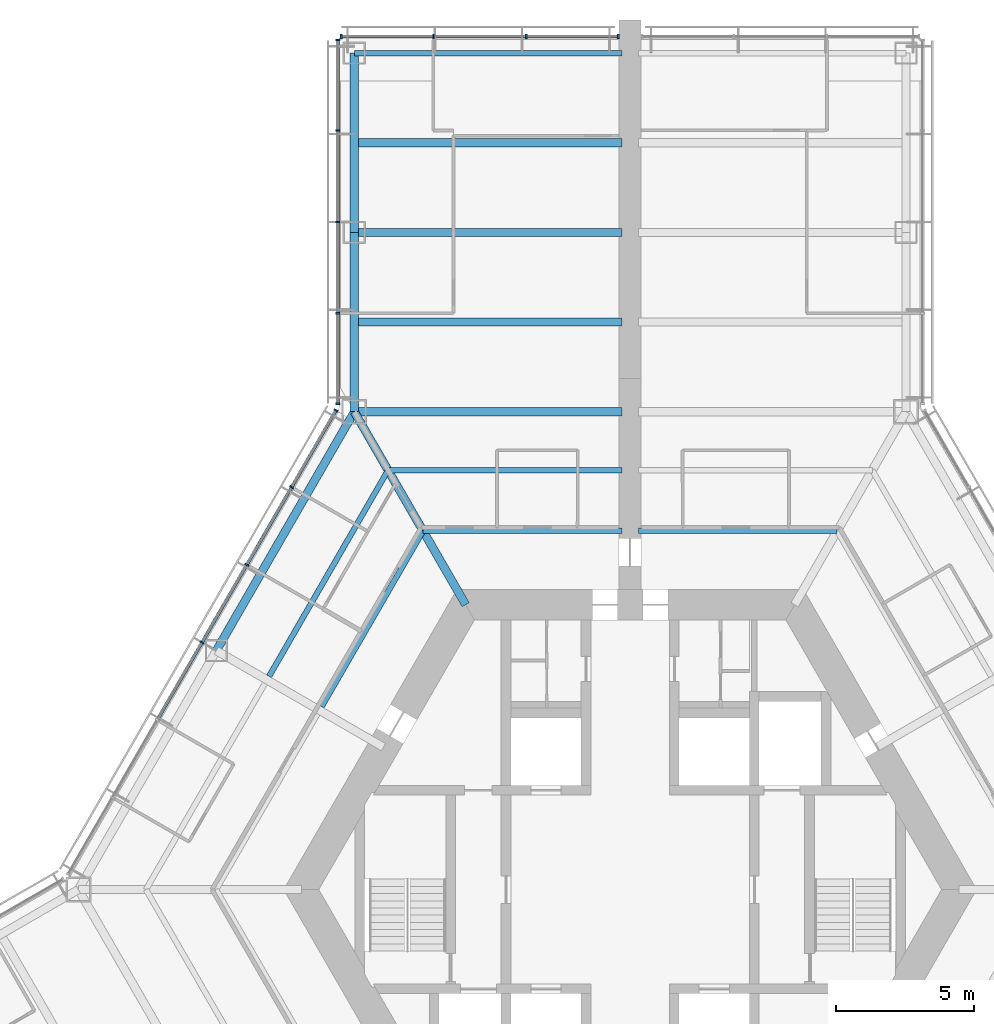
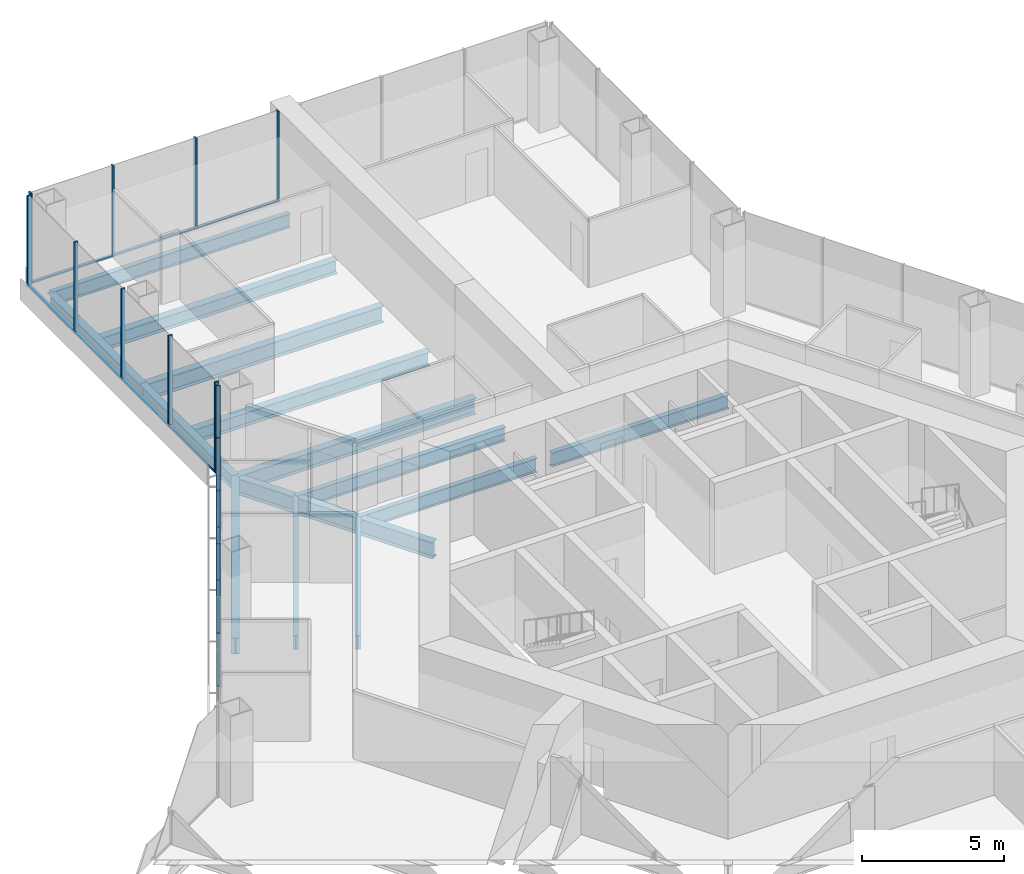
# One storey, part 7 of 18: 24 members, 14 beams, 3 elements without a shape of their own.
"""IFC4 building model written with IfcOpenShell, lengths in metres."""

from ifc_helpers import new_model, si_unit, direction, frame, origin, origin_2d, place, context, subcontext, project, spatial, rectangle, i_section, extrude, material, material_profile, profile_set, type_object, element, aggregate, save


model = new_model("IFC4")

# Units and contexts
model_context = context("Model", 3, precision=1e-05, world=origin(), true_north=direction((0.0, 1.0)))
body_context = subcontext(model_context, "Body", "Model", "MODEL_VIEW")
ifc_project = project(units=[si_unit("LENGTHUNIT", "METRE"), si_unit("AREAUNIT", "SQUARE_METRE"), si_unit("VOLUMEUNIT", "CUBIC_METRE"), si_unit("PLANEANGLEUNIT", "RADIAN"), si_unit("MASSUNIT", "GRAM", prefix="KILO")], contexts=[model_context])

# Site, building, storey
site_placement = place(None, origin())
site = spatial("IfcSite", under=ifc_project, at=site_placement, CompositionType="ELEMENT")
building_placement = place(site_placement, origin())
building = spatial("IfcBuilding", under=site, at=building_placement, Name="Kasaneha Research Tower", CompositionType="ELEMENT")
storey_placement = place(building_placement, frame((0.0, 0.0, 61.199951171875)))
storey = spatial("IfcBuildingStorey", under=building, at=storey_placement, Name="L15", CompositionType="ELEMENT", Elevation=61.199951171875)

# Beams
ifc_material_1 = material(Name="Steel SN490B", Category="steel")
ifc_material_profile_1 = material_profile(ifc_material_1, i_section(OverallWidth=0.199951171875, OverallDepth=0.60009765625, WebThickness=0.010986328125, FlangeThickness=0.01708984375, FilletRadius=0.012939453125, at=origin_2d()), Name="H-600x200x11x17")
ifc_profile_set_1 = profile_set([ifc_material_profile_1], Name="Steel SN490B")
beam_type_1 = type_object("IfcBeamType", Name="B1-3 secondary beam H-600x200x11x17", PredefinedType="JOIST", material=ifc_profile_set_1)
for number, where, z_axis, x_axis, name in (
    (1, (7.505615234375, 13.0, -0.449951171875), (-1.0, 0.0, 0.0), (0.0, -1.0, 0.0), "Secondary beam RS090L1 L15"),
    (2, (-7.505615234375, 13.0, -0.449951171875), (1.0, 0.0, 0.0), (0.0, 1.0, 0.0), "Secondary beam RS090R1 L15"),
):
    element("IfcBeam", number, at=place(storey_placement, frame(where, z_axis=z_axis, x_axis=x_axis)), inside=storey, type_object=beam_type_1, Name=name, PredefinedType="JOIST", context=body_context, shape_type="SweptSolid", body=[
        extrude(i_section(OverallWidth=0.199951171875, OverallDepth=0.60009765625, WebThickness=0.010986328125, FlangeThickness=0.01708984375, FilletRadius=0.012939453125, at=origin_2d()), origin(), (0.0, 0.0, 1.0), 7.20556640625),
    ])
beam_1_placement = place(storey_placement, frame((-8.775634765625, 15.199951171875, -0.449951171875), z_axis=(1.0, 0.0, 0.0), x_axis=(0.0, 1.0, 0.0)))
element("IfcBeam", 3, at=beam_1_placement, inside=storey, type_object=beam_type_1, Name="Secondary beam RS090R2 L15", PredefinedType="JOIST", context=body_context, shape_type="SweptSolid", body=[
    extrude(i_section(OverallWidth=0.199951171875, OverallDepth=0.60009765625, WebThickness=0.010986328125, FlangeThickness=0.01708984375, FilletRadius=0.012939453125, at=origin_2d()), origin(), (0.0, 0.0, 1.0), 8.4755859375),
])
beam_2_placement = place(storey_placement, frame((-7.505615234375, 13.0, -0.449951171875), z_axis=(-0.499994443168, -0.866028611999, 0.0), x_axis=(0.866028611999, -0.499994443168, 0.0)))
element("IfcBeam", 4, at=beam_2_placement, inside=storey, type_object=beam_type_1, Name="Secondary beam RS150L1 L15", PredefinedType="JOIST", context=body_context, shape_type="SweptSolid", body=[
    extrude(i_section(OverallWidth=0.199951171875, OverallDepth=0.60009765625, WebThickness=0.010986328125, FlangeThickness=0.01708984375, FilletRadius=0.012939453125, at=origin_2d()), origin(), (0.0, 0.0, 1.0), 7.35546875),
])
beam_3_placement = place(storey_placement, frame((-8.775634765625, 15.199951171875, -0.449951171875), z_axis=(-0.500017275495, -0.866015429543, 0.0), x_axis=(0.866015429543, -0.500017275495, 0.0)))
element("IfcBeam", 5, at=beam_3_placement, inside=storey, type_object=beam_type_1, Name="Secondary beam RS150L2 L15", PredefinedType="JOIST", context=body_context, shape_type="SweptSolid", body=[
    extrude(i_section(OverallWidth=0.199951171875, OverallDepth=0.60009765625, WebThickness=0.010986328125, FlangeThickness=0.01708984375, FilletRadius=0.012939453125, at=origin_2d()), origin(), (0.0, 0.0, 1.0), 8.625732421875),
])
ifc_material_2 = material(Name="Steel SN490B", Category="steel")
ifc_material_profile_2 = material_profile(ifc_material_2, i_section(OverallWidth=0.300048828125, OverallDepth=0.58203125, WebThickness=0.011962890625, FlangeThickness=0.01708984375, FilletRadius=0.012939453125, at=origin_2d()), Name="H-582x300x12x17")
ifc_profile_set_2 = profile_set([ifc_material_profile_2], Name="Steel SN490B")
beam_type_2 = type_object("IfcBeamType", Name="B2-3 secondary beam H-582x300x12x17", PredefinedType="JOIST", material=ifc_profile_set_2)
for number, where, z_axis, x_axis, name in (
    (6, (-10.0, 20.570556640625, -0.44091796875), (1.0, 0.0, 0.0), (0.0, 1.0, 0.0), "Secondary beam WBAN1 L15"),
    (7, (-10.0, 27.070556640625, -0.44091796875), (1.0, 0.0, 0.0), (0.0, 1.0, 0.0), "Secondary beam WBAN2 L15"),
):
    element("IfcBeam", number, at=place(storey_placement, frame(where, z_axis=z_axis, x_axis=x_axis)), inside=storey, type_object=beam_type_2, Name=name, PredefinedType="JOIST", context=body_context, shape_type="SweptSolid", body=[
        extrude(i_section(OverallWidth=0.300048828125, OverallDepth=0.58203125, WebThickness=0.011962890625, FlangeThickness=0.01708984375, FilletRadius=0.012939453125, at=origin_2d()), origin(), (0.0, 0.0, 1.0), 9.699951171875),
    ])

# Curtain wall, members
ifc_material_3 = material(Name="Glass and aluminium", Category="aluminium")
curtain_wall_type = type_object("IfcCurtainWallType", Name="Low-rise office curtain wall", PredefinedType="USERDEFINED", material=ifc_material_3)
curtain_wall_1_placement = place(storey_placement, origin())
curtain_wall_1 = element("IfcCurtainWall", 8, at=curtain_wall_1_placement, inside=storey, type_object=curtain_wall_type, Name="CW-O1 L15 run 10a", ObjectType="UNITISED CURTAIN WALL", PredefinedType="USERDEFINED")
ifc_material_4 = material(Name="Aluminium 6063-T6", Category="aluminium")
ifc_material_profile_3 = material_profile(ifc_material_4, rectangle(XDim=0.06005859375, YDim=0.159912109375, at=origin_2d()), Name="CW-O1 mullion 60x160")
ifc_profile_set_3 = profile_set([ifc_material_profile_3], Name="Aluminium 6063-T6")
member_type_1 = type_object("IfcMemberType", Name="CW-O1 mullion", PredefinedType="MULLION", material=ifc_profile_set_3)
member_1_placement = place(storey_placement, frame((-0.429931640625, 30.92041015625, 0.0), z_axis=(0.0, 0.0, 1.0), x_axis=(-1.0, 0.0, 0.0)))
member_1 = element("IfcMember", 9, at=member_1_placement, type_object=member_type_1, Name="CW-O1 mullion 1", PredefinedType="MULLION", context=body_context, shape_type="SweptSolid", body=[
    extrude(rectangle(XDim=0.06005859375, YDim=0.159912109375, at=origin_2d()), origin(), (0.0, 0.0, 1.0), 3.900146484375),
])
member_2_placement = place(storey_placement, frame((-3.7666015625, 30.92041015625, 0.0), z_axis=(0.0, 0.0, 1.0), x_axis=(-1.0, 0.0, 0.0)))
member_2 = element("IfcMember", 10, at=member_2_placement, type_object=member_type_1, Name="CW-O1 mullion 2", PredefinedType="MULLION", context=body_context, shape_type="SweptSolid", body=[
    extrude(rectangle(XDim=0.06005859375, YDim=0.159912109375, at=origin_2d()), origin(), (0.0, 0.0, 1.0), 3.900146484375),
])
member_3_placement = place(storey_placement, frame((-7.13330078125, 30.92041015625, 0.0), z_axis=(0.0, 0.0, 1.0), x_axis=(-1.0, 0.0, 0.0)))
member_3 = element("IfcMember", 11, at=member_3_placement, type_object=member_type_1, Name="CW-O1 mullion 3", PredefinedType="MULLION", context=body_context, shape_type="SweptSolid", body=[
    extrude(rectangle(XDim=0.06005859375, YDim=0.159912109375, at=origin_2d()), origin(), (0.0, 0.0, 1.0), 3.900146484375),
])
member_4_placement = place(storey_placement, frame((-10.469970703125, 30.92041015625, 0.0), z_axis=(0.0, 0.0, 1.0), x_axis=(-1.0, 0.0, 0.0)))
member_4 = element("IfcMember", 12, at=member_4_placement, type_object=member_type_1, Name="CW-O1 mullion 4", PredefinedType="MULLION", context=body_context, shape_type="SweptSolid", body=[
    extrude(rectangle(XDim=0.06005859375, YDim=0.159912109375, at=origin_2d()), origin(), (0.0, 0.0, 1.0), 3.900146484375),
])

curtain_wall_2_placement = place(storey_placement, origin())
curtain_wall_2 = element("IfcCurtainWall", 13, at=curtain_wall_2_placement, inside=storey, type_object=curtain_wall_type, Name="CW-O1 L15 run 11a", ObjectType="UNITISED CURTAIN WALL", PredefinedType="USERDEFINED")
member_5_placement = place(storey_placement, frame((-10.60009765625, 30.79052734375, 0.0), z_axis=(0.0, 0.0, 1.0), x_axis=(0.0, -1.0, 0.0)))
member_5 = element("IfcMember", 14, at=member_5_placement, type_object=member_type_1, Name="CW-O1 mullion 1", PredefinedType="MULLION", context=body_context, shape_type="SweptSolid", body=[
    extrude(rectangle(XDim=0.06005859375, YDim=0.159912109375, at=origin_2d()), origin(), (0.0, 0.0, 1.0), 3.900146484375),
])
member_6_placement = place(storey_placement, frame((-10.60009765625, 27.5107421875, 0.0), z_axis=(0.0, 0.0, 1.0), x_axis=(0.0, -1.0, 0.0)))
member_6 = element("IfcMember", 15, at=member_6_placement, type_object=member_type_1, Name="CW-O1 mullion 2", PredefinedType="MULLION", context=body_context, shape_type="SweptSolid", body=[
    extrude(rectangle(XDim=0.06005859375, YDim=0.159912109375, at=origin_2d()), origin(), (0.0, 0.0, 1.0), 3.900146484375),
])
member_7_placement = place(storey_placement, frame((-10.60009765625, 24.200927734375, 0.0), z_axis=(0.0, 0.0, 1.0), x_axis=(0.0, -1.0, 0.0)))
member_7 = element("IfcMember", 16, at=member_7_placement, type_object=member_type_1, Name="CW-O1 mullion 3", PredefinedType="MULLION", context=body_context, shape_type="SweptSolid", body=[
    extrude(rectangle(XDim=0.06005859375, YDim=0.159912109375, at=origin_2d()), origin(), (0.0, 0.0, 1.0), 3.900146484375),
])
member_8_placement = place(storey_placement, frame((-10.60009765625, 20.89111328125, 0.0), z_axis=(0.0, 0.0, 1.0), x_axis=(0.0, -1.0, 0.0)))
member_8 = element("IfcMember", 17, at=member_8_placement, type_object=member_type_1, Name="CW-O1 mullion 4", PredefinedType="MULLION", context=body_context, shape_type="SweptSolid", body=[
    extrude(rectangle(XDim=0.06005859375, YDim=0.159912109375, at=origin_2d()), origin(), (0.0, 0.0, 1.0), 3.900146484375),
])
member_9_placement = place(storey_placement, frame((-10.60009765625, 17.611328125, 0.0), z_axis=(0.0, 0.0, 1.0), x_axis=(0.0, -1.0, 0.0)))
member_9 = element("IfcMember", 18, at=member_9_placement, type_object=member_type_1, Name="CW-O1 mullion 5", PredefinedType="MULLION", context=body_context, shape_type="SweptSolid", body=[
    extrude(rectangle(XDim=0.06005859375, YDim=0.159912109375, at=origin_2d()), origin(), (0.0, 0.0, 1.0), 3.900146484375),
])

curtain_wall_3_placement = place(storey_placement, origin())
curtain_wall_3 = element("IfcCurtainWall", 19, at=curtain_wall_3_placement, inside=storey, type_object=curtain_wall_type, Name="CW-O1 L15 run 12a", ObjectType="UNITISED CURTAIN WALL", PredefinedType="USERDEFINED")
member_10_placement = place(storey_placement, frame((-10.6650390625, 17.36865234375, 0.0), z_axis=(0.0, 0.0, 1.0), x_axis=(-0.49999996188, -0.866025425793, 0.0)))
member_10 = element("IfcMember", 20, at=member_10_placement, type_object=member_type_1, Name="CW-O1 mullion 1", PredefinedType="MULLION", context=body_context, shape_type="SweptSolid", body=[
    extrude(rectangle(XDim=0.06005859375, YDim=0.159912109375, at=origin_2d()), origin(), (0.0, 0.0, 1.0), 3.900146484375),
])
member_11_placement = place(storey_placement, frame((-12.273193359375, 14.583251953125, 0.0), z_axis=(0.0, 0.0, 1.0), x_axis=(-0.49999996188, -0.866025425793, 0.0)))
member_11 = element("IfcMember", 21, at=member_11_placement, type_object=member_type_1, Name="CW-O1 mullion 2", PredefinedType="MULLION", context=body_context, shape_type="SweptSolid", body=[
    extrude(rectangle(XDim=0.06005859375, YDim=0.159912109375, at=origin_2d()), origin(), (0.0, 0.0, 1.0), 3.900146484375),
])
member_12_placement = place(storey_placement, frame((-13.896484375, 11.771728515625, 0.0), z_axis=(0.0, 0.0, 1.0), x_axis=(-0.49999996188, -0.866025425793, 0.0)))
member_12 = element("IfcMember", 22, at=member_12_placement, type_object=member_type_1, Name="CW-O1 mullion 3", PredefinedType="MULLION", context=body_context, shape_type="SweptSolid", body=[
    extrude(rectangle(XDim=0.06005859375, YDim=0.159912109375, at=origin_2d()), origin(), (0.0, 0.0, 1.0), 3.900146484375),
])
member_13_placement = place(storey_placement, frame((-15.51953125, 8.960205078125, 0.0), z_axis=(0.0, 0.0, 1.0), x_axis=(-0.49999996188, -0.866025425793, 0.0)))
member_13 = element("IfcMember", 23, at=member_13_placement, type_object=member_type_1, Name="CW-O1 mullion 4", PredefinedType="MULLION", context=body_context, shape_type="SweptSolid", body=[
    extrude(rectangle(XDim=0.06005859375, YDim=0.159912109375, at=origin_2d()), origin(), (0.0, 0.0, 1.0), 3.900146484375),
])

# Member
ifc_material_5 = material(Name="Aluminium 6063-T6", Category="aluminium")
ifc_material_profile_4 = material_profile(ifc_material_5, rectangle(XDim=0.1201171875, YDim=0.06005859375, at=origin_2d()), Name="CW-O1 transom 120x60")
ifc_profile_set_4 = profile_set([ifc_material_profile_4], Name="Aluminium 6063-T6")
member_type_2 = type_object("IfcMemberType", Name="CW-O1 transom", PredefinedType="USERDEFINED", material=ifc_profile_set_4)
member_14_placement = place(storey_placement, frame((-0.4599609375, 30.92041015625, 0.030029296875), z_axis=(-1.0, 0.0, 0.0), x_axis=(0.0, -1.0, 0.0)))
member_14 = element("IfcMember", 24, at=member_14_placement, type_object=member_type_2, Name="CW-O1 transom 1", ObjectType="TRANSOM", PredefinedType="USERDEFINED", context=body_context, shape_type="SweptSolid", body=[
    extrude(rectangle(XDim=0.1201171875, YDim=0.06005859375, at=origin_2d()), origin(), (0.0, 0.0, 1.0), 3.276611328125),
])

member_15_placement = place(storey_placement, frame((-3.796630859375, 30.92041015625, 0.030029296875), z_axis=(-1.0, 0.0, 0.0), x_axis=(0.0, -1.0, 0.0)))
member_15 = element("IfcMember", 25, at=member_15_placement, type_object=member_type_2, Name="CW-O1 transom 2", ObjectType="TRANSOM", PredefinedType="USERDEFINED", context=body_context, shape_type="SweptSolid", body=[
    extrude(rectangle(XDim=0.1201171875, YDim=0.06005859375, at=origin_2d()), origin(), (0.0, 0.0, 1.0), 3.306640625),
])

member_16_placement = place(storey_placement, frame((-7.163330078125, 30.92041015625, 0.030029296875), z_axis=(-1.0, 0.0, 0.0), x_axis=(0.0, -1.0, 0.0)))
member_16 = element("IfcMember", 26, at=member_16_placement, type_object=member_type_2, Name="CW-O1 transom 3", ObjectType="TRANSOM", PredefinedType="USERDEFINED", context=body_context, shape_type="SweptSolid", body=[
    extrude(rectangle(XDim=0.1201171875, YDim=0.06005859375, at=origin_2d()), origin(), (0.0, 0.0, 1.0), 3.276611328125),
])

aggregate(curtain_wall_1, [member_1, member_2, member_3, member_4, member_14, member_15, member_16])

member_17_placement = place(storey_placement, frame((-10.60009765625, 30.760498046875, 0.030029296875), z_axis=(0.0, -1.0, 0.0), x_axis=(1.0, 0.0, 0.0)))
member_17 = element("IfcMember", 27, at=member_17_placement, type_object=member_type_2, Name="CW-O1 transom 1", ObjectType="TRANSOM", PredefinedType="USERDEFINED", context=body_context, shape_type="SweptSolid", body=[
    extrude(rectangle(XDim=0.1201171875, YDim=0.06005859375, at=origin_2d()), origin(), (0.0, 0.0, 1.0), 3.2197265625),
])

member_18_placement = place(storey_placement, frame((-10.60009765625, 27.480712890625, 0.030029296875), z_axis=(0.0, -1.0, 0.0), x_axis=(1.0, 0.0, 0.0)))
member_18 = element("IfcMember", 28, at=member_18_placement, type_object=member_type_2, Name="CW-O1 transom 2", ObjectType="TRANSOM", PredefinedType="USERDEFINED", context=body_context, shape_type="SweptSolid", body=[
    extrude(rectangle(XDim=0.1201171875, YDim=0.06005859375, at=origin_2d()), origin(), (0.0, 0.0, 1.0), 3.249755859375),
])

member_19_placement = place(storey_placement, frame((-10.60009765625, 24.1708984375, 0.030029296875), z_axis=(0.0, -1.0, 0.0), x_axis=(1.0, 0.0, 0.0)))
member_19 = element("IfcMember", 29, at=member_19_placement, type_object=member_type_2, Name="CW-O1 transom 3", ObjectType="TRANSOM", PredefinedType="USERDEFINED", context=body_context, shape_type="SweptSolid", body=[
    extrude(rectangle(XDim=0.1201171875, YDim=0.06005859375, at=origin_2d()), origin(), (0.0, 0.0, 1.0), 3.249755859375),
])

member_20_placement = place(storey_placement, frame((-10.60009765625, 20.861083984375, 0.030029296875), z_axis=(0.0, -1.0, 0.0), x_axis=(1.0, 0.0, 0.0)))
member_20 = element("IfcMember", 30, at=member_20_placement, type_object=member_type_2, Name="CW-O1 transom 4", ObjectType="TRANSOM", PredefinedType="USERDEFINED", context=body_context, shape_type="SweptSolid", body=[
    extrude(rectangle(XDim=0.1201171875, YDim=0.06005859375, at=origin_2d()), origin(), (0.0, 0.0, 1.0), 3.2197265625),
])

aggregate(curtain_wall_2, [member_5, member_6, member_7, member_8, member_9, member_17, member_18, member_19, member_20])

member_21_placement = place(storey_placement, frame((-10.679931640625, 17.3427734375, 0.030029296875), z_axis=(-0.500023726918, -0.866011704609, 0.0), x_axis=(0.866011704609, -0.500023726918, 0.0)))
member_21 = element("IfcMember", 31, at=member_21_placement, type_object=member_type_2, Name="CW-O1 transom 1", ObjectType="TRANSOM", PredefinedType="USERDEFINED", context=body_context, shape_type="SweptSolid", body=[
    extrude(rectangle(XDim=0.1201171875, YDim=0.06005859375, at=origin_2d()), origin(), (0.0, 0.0, 1.0), 3.156494140625),
])

member_22_placement = place(storey_placement, frame((-12.2880859375, 14.55712890625, 0.030029296875), z_axis=(-0.500012062035, -0.866018439653, 0.0), x_axis=(0.866018439653, -0.500012062035, 0.0)))
member_22 = element("IfcMember", 32, at=member_22_placement, type_object=member_type_2, Name="CW-O1 transom 2", ObjectType="TRANSOM", PredefinedType="USERDEFINED", context=body_context, shape_type="SweptSolid", body=[
    extrude(rectangle(XDim=0.1201171875, YDim=0.06005859375, at=origin_2d()), origin(), (0.0, 0.0, 1.0), 3.1865234375),
])

member_23_placement = place(storey_placement, frame((-13.911376953125, 11.745849609375, 0.030029296875), z_axis=(-0.500012062035, -0.866018439653, 0.0), x_axis=(0.866018439653, -0.500012062035, 0.0)))
member_23 = element("IfcMember", 33, at=member_23_placement, type_object=member_type_2, Name="CW-O1 transom 3", ObjectType="TRANSOM", PredefinedType="USERDEFINED", context=body_context, shape_type="SweptSolid", body=[
    extrude(rectangle(XDim=0.1201171875, YDim=0.06005859375, at=origin_2d()), origin(), (0.0, 0.0, 1.0), 3.1865234375),
])

member_24_placement = place(storey_placement, frame((-15.53466796875, 8.934326171875, 0.030029296875), z_axis=(-0.500012062035, -0.866018439653, 0.0), x_axis=(0.866018439653, -0.500012062035, 0.0)))
member_24 = element("IfcMember", 34, at=member_24_placement, type_object=member_type_2, Name="CW-O1 transom 4", ObjectType="TRANSOM", PredefinedType="USERDEFINED", context=body_context, shape_type="SweptSolid", body=[
    extrude(rectangle(XDim=0.1201171875, YDim=0.06005859375, at=origin_2d()), origin(), (0.0, 0.0, 1.0), 3.1865234375),
])

aggregate(curtain_wall_3, [member_10, member_11, member_12, member_13, member_21, member_22, member_23, member_24])

# Beams
ifc_material_6 = material(Name="Steel SN490B", Category="steel")
ifc_material_profile_5 = material_profile(ifc_material_6, i_section(OverallWidth=0.300048828125, OverallDepth=0.699951171875, WebThickness=0.012939453125, FlangeThickness=0.02392578125, FilletRadius=0.01806640625, at=origin_2d()), Name="H-700x300x13x24")
ifc_profile_set_5 = profile_set([ifc_material_profile_5], Name="Steel SN490B")
beam_type_3 = type_object("IfcBeamType", Name="G1-3 radial girder H-700x300x13x24", PredefinedType="BEAM", material=ifc_profile_set_5)
beam_4_placement = place(storey_placement, frame((-5.961181640625, 10.324951171875, -0.5), z_axis=(-0.49999105496, 0.866030568144, 0.0), x_axis=(-0.866030568144, -0.49999105496, 0.0)))
element("IfcBeam", 35, at=beam_4_placement, inside=storey, type_object=beam_type_3, Name="Radial girder RV120 L15", PredefinedType="BEAM", context=body_context, shape_type="SweptSolid", body=[
    extrude(i_section(OverallWidth=0.300048828125, OverallDepth=0.699951171875, WebThickness=0.012939453125, FlangeThickness=0.02392578125, FilletRadius=0.01806640625, at=origin_2d()), origin(), (0.0, 0.0, 1.0), 8.077880859375),
])
ifc_material_7 = material(Name="Steel SN490B", Category="steel")
ifc_material_profile_6 = material_profile(ifc_material_7, i_section(OverallWidth=0.300048828125, OverallDepth=0.69189453125, WebThickness=0.012939453125, FlangeThickness=0.02001953125, FilletRadius=0.01806640625, at=origin_2d()), Name="H-692x300x13x20")
ifc_profile_set_6 = profile_set([ifc_material_profile_6], Name="Steel SN490B")
beam_type_4 = type_object("IfcBeamType", Name="G3-3 plate edge girder H-692x300x13x20", PredefinedType="BEAM", material=ifc_profile_set_6)
beam_5_placement = place(storey_placement, frame((-10.0, 17.320556640625, -0.495849609375), z_axis=(1.0, 0.0, 0.0), x_axis=(0.0, 1.0, 0.0)))
element("IfcBeam", 36, at=beam_5_placement, inside=storey, type_object=beam_type_4, Name="Plate edge girder PEAN L15", PredefinedType="BEAM", context=body_context, shape_type="SweptSolid", body=[
    extrude(i_section(OverallWidth=0.300048828125, OverallDepth=0.69189453125, WebThickness=0.012939453125, FlangeThickness=0.02001953125, FilletRadius=0.01806640625, at=origin_2d()), origin(), (0.0, 0.0, 1.0), 9.699951171875),
])
ifc_material_8 = material(Name="Steel SN490B", Category="steel")
ifc_material_profile_7 = material_profile(ifc_material_8, i_section(OverallWidth=0.300048828125, OverallDepth=0.699951171875, WebThickness=0.012939453125, FlangeThickness=0.02392578125, FilletRadius=0.01806640625, at=origin_2d()), Name="H-700x300x13x24")
ifc_profile_set_7 = profile_set([ifc_material_profile_7], Name="Steel SN490B")
beam_type_5 = type_object("IfcBeamType", Name="G4-3 wing girder H-700x300x13x24", PredefinedType="BEAM", material=ifc_profile_set_7)
beam_6_placement = place(storey_placement, frame((-10.0, 23.820556640625, -0.5), z_axis=(1.0, 0.0, 0.0), x_axis=(0.0, 1.0, 0.0)))
element("IfcBeam", 37, at=beam_6_placement, inside=storey, type_object=beam_type_5, Name="Wing girder WGAN L15", PredefinedType="BEAM", context=body_context, shape_type="SweptSolid", body=[
    extrude(i_section(OverallWidth=0.300048828125, OverallDepth=0.699951171875, WebThickness=0.012939453125, FlangeThickness=0.02392578125, FilletRadius=0.01806640625, at=origin_2d()), origin(), (0.0, 0.0, 1.0), 9.699951171875),
])
ifc_material_9 = material(Name="Steel SN490B", Category="steel")
ifc_material_profile_8 = material_profile(ifc_material_9, i_section(OverallWidth=0.300048828125, OverallDepth=0.69189453125, WebThickness=0.012939453125, FlangeThickness=0.02001953125, FilletRadius=0.01806640625, at=origin_2d()), Name="H-692x300x13x20")
ifc_profile_set_8 = profile_set([ifc_material_profile_8], Name="Steel SN490B")
beam_type_6 = type_object("IfcBeamType", Name="SB1-3 spandrel beam H-692x300x13x20", PredefinedType="SPANDREL", material=ifc_profile_set_8)
beam_7_placement = place(storey_placement, frame((-10.0, 17.320556640625, -0.495849609375), z_axis=(-0.499993662806, -0.866029062534, 0.0), x_axis=(0.866029062534, -0.499993662806, 0.0)))
element("IfcBeam", 38, at=beam_7_placement, inside=storey, type_object=beam_type_6, Name="Spandrel beam SR150L L15", PredefinedType="SPANDREL", context=body_context, shape_type="SweptSolid", body=[
    extrude(i_section(OverallWidth=0.300048828125, OverallDepth=0.69189453125, WebThickness=0.012939453125, FlangeThickness=0.02001953125, FilletRadius=0.01806640625, at=origin_2d()), origin(), (0.0, 0.0, 1.0), 10.000244140625),
])
ifc_material_10 = material(Name="Steel SN490B", Category="steel")
ifc_material_profile_9 = material_profile(ifc_material_10, i_section(OverallWidth=0.300048828125, OverallDepth=0.58203125, WebThickness=0.011962890625, FlangeThickness=0.01708984375, FilletRadius=0.012939453125, at=origin_2d()), Name="H-582x300x12x17")
ifc_profile_set_9 = profile_set([ifc_material_profile_9], Name="Steel SN490B")
beam_type_7 = type_object("IfcBeamType", Name="SB2-3 spandrel beam H-582x300x12x17", PredefinedType="SPANDREL", material=ifc_profile_set_9)
for number, where, z_axis, x_axis, name in (
    (39, (-10.0, 17.320556640625, -0.44091796875), (0.0, 1.0, 0.0), (-1.0, 0.0, 0.0), "Spandrel beam WSAN1 L15"),
    (40, (-10.0, 23.820556640625, -0.44091796875), (0.0, 1.0, 0.0), (-1.0, 0.0, 0.0), "Spandrel beam WSAN2 L15"),
):
    element("IfcBeam", number, at=place(storey_placement, frame(where, z_axis=z_axis, x_axis=x_axis)), inside=storey, type_object=beam_type_7, Name=name, PredefinedType="SPANDREL", context=body_context, shape_type="SweptSolid", body=[
        extrude(i_section(OverallWidth=0.300048828125, OverallDepth=0.58203125, WebThickness=0.011962890625, FlangeThickness=0.01708984375, FilletRadius=0.012939453125, at=origin_2d()), origin(), (0.0, 0.0, 1.0), 6.5),
    ])
ifc_material_11 = material(Name="Steel SN490B", Category="steel")
ifc_material_profile_10 = material_profile(ifc_material_11, i_section(OverallWidth=0.199951171875, OverallDepth=0.60009765625, WebThickness=0.010986328125, FlangeThickness=0.01708984375, FilletRadius=0.012939453125, at=origin_2d()), Name="H-600x200x11x17")
ifc_profile_set_10 = profile_set([ifc_material_profile_10], Name="Steel SN490B")
beam_type_8 = type_object("IfcBeamType", Name="SB3-3 spandrel beam H-600x200x11x17", PredefinedType="SPANDREL", material=ifc_profile_set_10)
beam_8_placement = place(storey_placement, frame((-10.0, 30.320556640625, -0.449951171875), z_axis=(1.0, 0.0, 0.0), x_axis=(0.0, 1.0, 0.0)))
element("IfcBeam", 41, at=beam_8_placement, inside=storey, type_object=beam_type_8, Name="Spandrel beam WTAN L15", PredefinedType="SPANDREL", context=body_context, shape_type="SweptSolid", body=[
    extrude(i_section(OverallWidth=0.199951171875, OverallDepth=0.60009765625, WebThickness=0.010986328125, FlangeThickness=0.01708984375, FilletRadius=0.012939453125, at=origin_2d()), origin(), (0.0, 0.0, 1.0), 9.699951171875),
])

save(model, "model.ifc")
